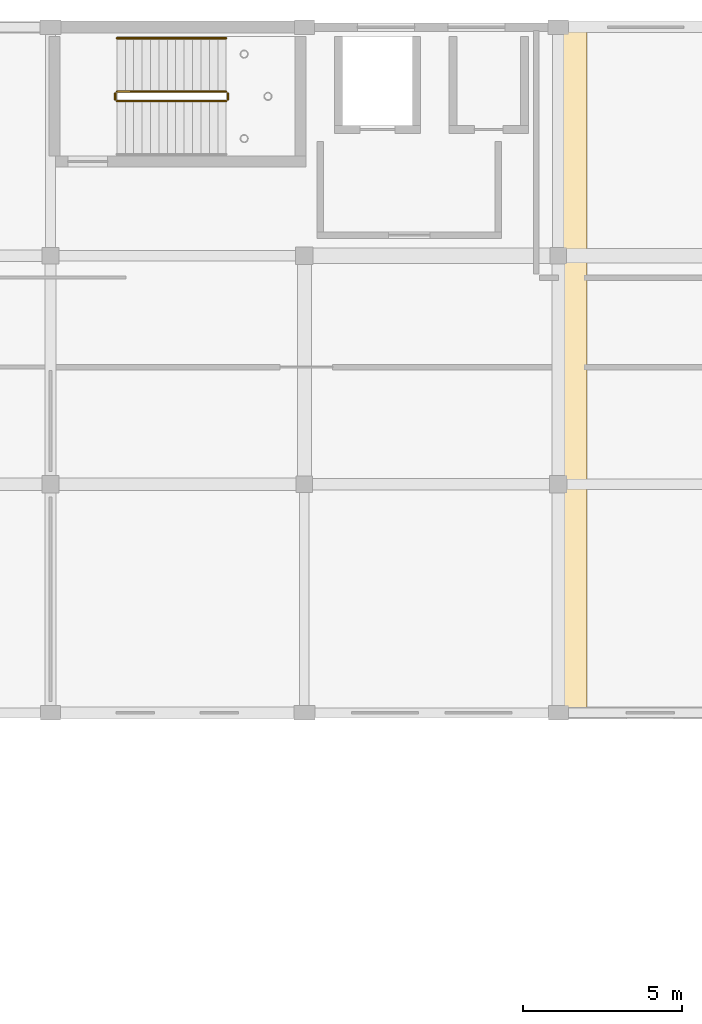
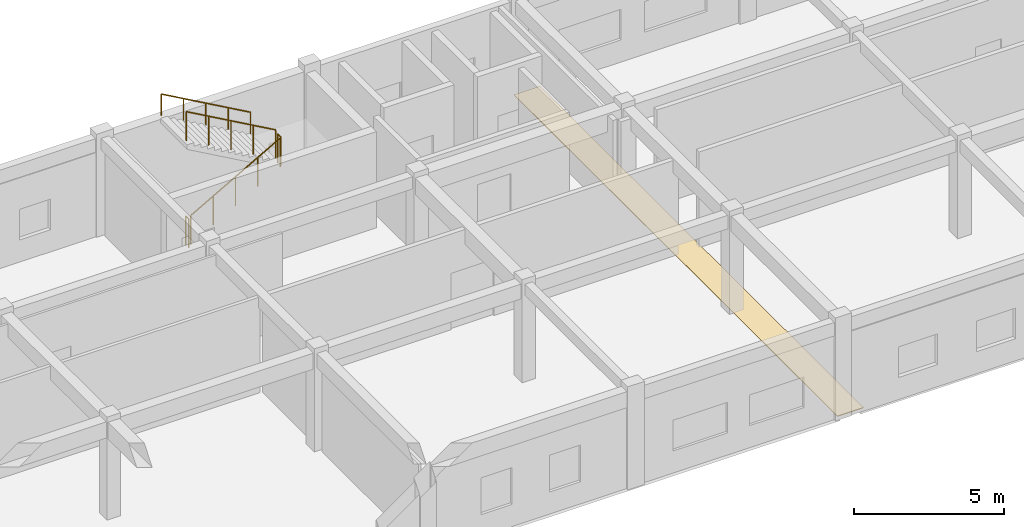
# One storey, part 17 of 19: 5 railings, 1 covering.
"""IFC4 building model written with IfcOpenShell, lengths in metres."""

from ifc_helpers import new_model, si_unit, direction, frame, origin, origin_2d, place, context, subcontext, project, spatial, polyline, circle, outline, extrude, material, layer, layer_set, type_object, element, save


model = new_model("IFC4")

# Units and contexts
model_context = context("Model", 3, precision=1e-05, world=origin(), true_north=direction((0.0, 1.0)))
body_context = subcontext(model_context, "Body", "Model", "MODEL_VIEW")
ifc_project = project(units=[si_unit("LENGTHUNIT", "METRE"), si_unit("AREAUNIT", "SQUARE_METRE"), si_unit("VOLUMEUNIT", "CUBIC_METRE"), si_unit("PLANEANGLEUNIT", "RADIAN"), si_unit("MASSUNIT", "GRAM", prefix="KILO")], contexts=[model_context])

# Site, building, storey
site_placement = place(None, origin())
site = spatial("IfcSite", under=ifc_project, at=site_placement, CompositionType="ELEMENT")
building_placement = place(site_placement, origin())
building = spatial("IfcBuilding", under=site, at=building_placement, Name="Kharva Crest Polytechnic", CompositionType="ELEMENT")
storey_placement = place(building_placement, frame((0.0, 0.0, 21.60009765625)))
storey = spatial("IfcBuildingStorey", under=building, at=storey_placement, Name="L05", CompositionType="ELEMENT", Elevation=21.60009765625)

# Covering
ifc_material_1 = material(Name="Anodised aluminium", Category="aluminium")
ifc_layer = layer(ifc_material_1, 0.030029296875, Name="Anodised aluminium")
ifc_layer_set = layer_set([ifc_layer], Name="Anodised aluminium")
covering_type = type_object("IfcCoveringType", Name="COV-SEISMIC-JOINT", PredefinedType="FLOORING", material=ifc_layer_set)
covering_placement = place(storey_placement, frame((0.0, 0.0, -0.030029296875)))
element("IfcCovering", 1, at=covering_placement, inside=storey, type_object=covering_type, Name="L05 Seismic Expansion Joint Floor Cover N_STUDIO_L5", PredefinedType="FLOORING", context=body_context, shape_type="SweptSolid", body=[
    extrude(outline(polyline([(119.89990234375, 100.39990234375), (120.89990234375, 100.39990234375), (120.89990234375, 122.0), (119.89990234375, 122.0), (119.89990234375, 100.39990234375)])), origin(), (0.0, 0.0, 1.0), 0.030029296875),
])

# Railings
railing_type_1 = type_object("IfcRailingType", Name="RL-STAIR-GUARD-1200", PredefinedType="GUARDRAIL", material=ifc_material_1)
railing_1_placement = place(storey_placement, frame((106.090087890625, 119.669921875, 0.14990234375)))
element("IfcRailing", 2, at=railing_1_placement, inside=storey, type_object=railing_type_1, Name="L05 ST-04 stair guard 1", PredefinedType="GUARDRAIL", context=body_context, shape_type="SweptSolid", body=[
    extrude(circle(Radius=0.02392578125, at=origin_2d()), frame((0.0, 0.0, 1.17578125), z_axis=(0.870251367514, 0.0, 0.492607914411), x_axis=(0.0, 1.0, 0.0)), (0.0, 0.0, 1.0), 3.95849609375),
    extrude(circle(Radius=0.02099609375, at=origin_2d()), origin(), (0.0, 0.0, 1.0), 1.15185546875),
    extrude(circle(Radius=0.02099609375, at=origin_2d()), frame((0.861328125, 0.0, 0.487548828125)), (0.0, 0.0, 1.0), 1.15185546875),
    extrude(circle(Radius=0.02099609375, at=origin_2d()), frame((1.722412109375, 0.0, 0.97509765625)), (0.0, 0.0, 1.0), 1.15185546875),
    extrude(circle(Radius=0.02099609375, at=origin_2d()), frame((2.58349609375, 0.0, 1.46240234375)), (0.0, 0.0, 1.0), 1.15185546875),
    extrude(circle(Radius=0.02099609375, at=origin_2d()), frame((3.44482421875, 0.0, 1.949951171875)), (0.0, 0.0, 1.0), 1.15185546875),
])
railing_2_placement = place(storey_placement, frame((109.5849609375, 119.719970703125, 2.099853515625)))
element("IfcRailing", 3, at=railing_2_placement, inside=storey, type_object=railing_type_1, Name="L05 ST-04 stair guard 2", PredefinedType="GUARDRAIL", context=body_context, shape_type="SweptSolid", body=[
    extrude(circle(Radius=0.02392578125, at=origin_2d()), frame((0.0, 0.0, 1.17578125), z_axis=(0.0, 1.0, 0.0), x_axis=(-1.0, 0.0, 0.0)), (0.0, 0.0, 1.0), 0.199951171875),
    extrude(circle(Radius=0.02099609375, at=origin_2d()), origin(), (0.0, 0.0, 1.0), 1.15185546875),
    extrude(circle(Radius=0.02099609375, at=origin_2d()), frame((0.0, 0.199951171875, 0.0)), (0.0, 0.0, 1.0), 1.15185546875),
])
railing_3_placement = place(storey_placement, frame((109.534912109375, 119.969970703125, 2.25)))
element("IfcRailing", 4, at=railing_3_placement, inside=storey, type_object=railing_type_1, Name="L05 ST-04 stair guard 3", PredefinedType="GUARDRAIL", context=body_context, shape_type="SweptSolid", body=[
    extrude(circle(Radius=0.02392578125, at=origin_2d()), frame((0.0, 0.0, 1.17578125), z_axis=(-0.870251367514, 0.0, 0.492607914411), x_axis=(0.0, -1.0, 0.0)), (0.0, 0.0, 1.0), 3.95849609375),
    extrude(circle(Radius=0.02099609375, at=origin_2d()), origin(), (0.0, 0.0, 1.0), 1.15185546875),
    extrude(circle(Radius=0.02099609375, at=origin_2d()), frame((-0.861328125, 0.0, 0.487548828125)), (0.0, 0.0, 1.0), 1.15185546875),
    extrude(circle(Radius=0.02099609375, at=origin_2d()), frame((-1.722412109375, 0.0, 0.97509765625)), (0.0, 0.0, 1.0), 1.15185546875),
    extrude(circle(Radius=0.02099609375, at=origin_2d()), frame((-2.58349609375, 0.0, 1.46240234375)), (0.0, 0.0, 1.0), 1.15185546875),
    extrude(circle(Radius=0.02099609375, at=origin_2d()), frame((-3.44482421875, 0.0, 1.949951171875)), (0.0, 0.0, 1.0), 1.15185546875),
])
railing_4_placement = place(storey_placement, frame((106.0400390625, 119.719970703125, 0.0)))
element("IfcRailing", 5, at=railing_4_placement, inside=storey, type_object=railing_type_1, Name="L05 ST-04 stair guard 4", PredefinedType="GUARDRAIL", context=body_context, shape_type="SweptSolid", body=[
    extrude(circle(Radius=0.02392578125, at=origin_2d()), frame((0.0, 0.0, 1.17578125), z_axis=(0.0, 1.0, 0.0), x_axis=(-1.0, 0.0, 0.0)), (0.0, 0.0, 1.0), 0.199951171875),
    extrude(circle(Radius=0.02099609375, at=origin_2d()), origin(), (0.0, 0.0, 1.0), 1.15185546875),
    extrude(circle(Radius=0.02099609375, at=origin_2d()), frame((0.0, 0.199951171875, 0.0)), (0.0, 0.0, 1.0), 1.15185546875),
])
ifc_material_2 = material(Name="Teak timber", Category="wood")
railing_type_2 = type_object("IfcRailingType", Name="RL-STAIR-HAND-900", PredefinedType="HANDRAIL", material=ifc_material_2)
railing_5_placement = place(storey_placement, frame((109.534912109375, 121.64990234375, 2.25)))
element("IfcRailing", 6, at=railing_5_placement, inside=storey, type_object=railing_type_2, Name="L05 ST-04 stair handrail 2", PredefinedType="HANDRAIL", context=body_context, shape_type="SweptSolid", body=[
    extrude(circle(Radius=0.02392578125, at=origin_2d()), frame((0.0, 0.0, 0.8759765625), z_axis=(-0.870251367514, 0.0, 0.492607914411), x_axis=(0.0, -1.0, 0.0)), (0.0, 0.0, 1.0), 3.95849609375),
    extrude(circle(Radius=0.02099609375, at=origin_2d()), origin(), (0.0, 0.0, 1.0), 0.851806640625),
    extrude(circle(Radius=0.02099609375, at=origin_2d()), frame((-0.861328125, 0.0, 0.487548828125)), (0.0, 0.0, 1.0), 0.851806640625),
    extrude(circle(Radius=0.02099609375, at=origin_2d()), frame((-1.722412109375, 0.0, 0.97509765625)), (0.0, 0.0, 1.0), 0.851806640625),
    extrude(circle(Radius=0.02099609375, at=origin_2d()), frame((-2.58349609375, 0.0, 1.46240234375)), (0.0, 0.0, 1.0), 0.851806640625),
    extrude(circle(Radius=0.02099609375, at=origin_2d()), frame((-3.44482421875, 0.0, 1.949951171875)), (0.0, 0.0, 1.0), 0.851806640625),
])

save(model, "model.ifc")
